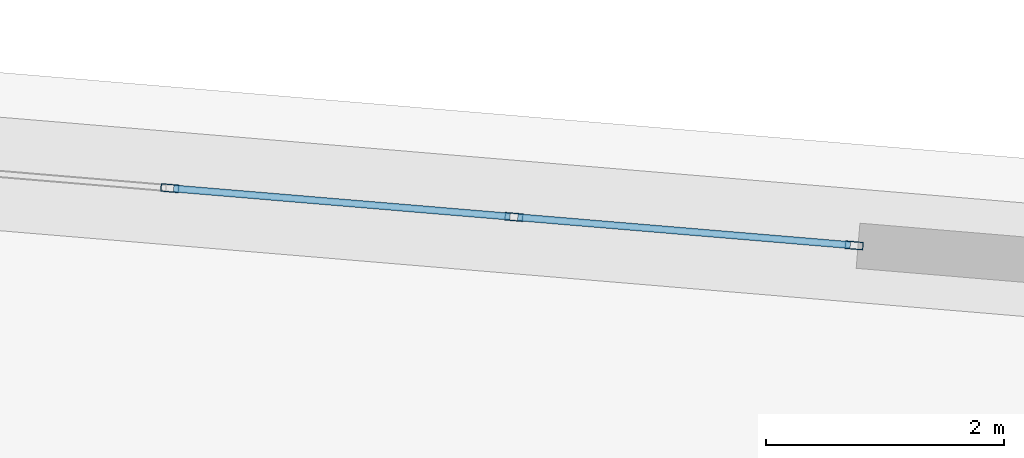
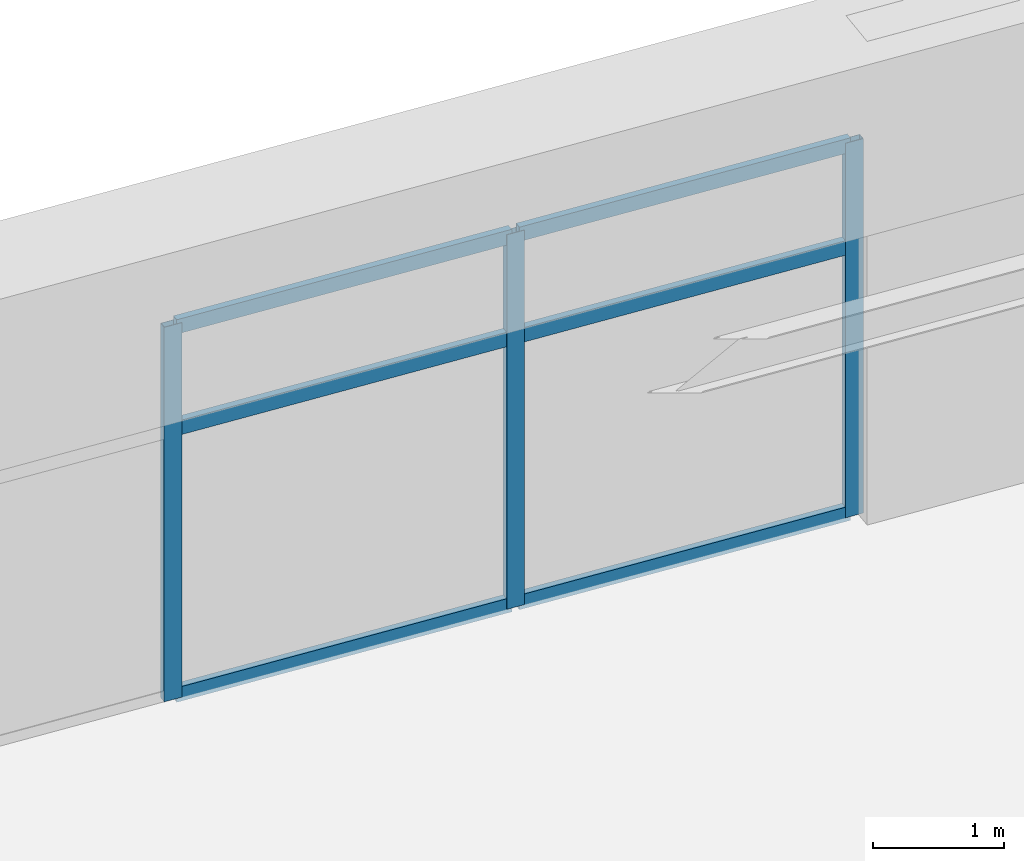
# One storey, part 31 of 40: 9 members, 1 element without a shape of its own.
"""IFC4 building model written with IfcOpenShell, lengths in metres."""

from ifc_helpers import new_model, si_unit, direction, frame, origin, origin_2d, place, context, subcontext, project, spatial, hollow_rectangle, extrude, source, transform, mapped, material, layer, layer_set, material_profile, profile_set, type_object, element, aggregate, save


model = new_model("IFC4")

# Units and contexts
model_context = context("Model", 3, precision=1e-05, world=origin(), true_north=direction((0.0, 1.0)))
body_context = subcontext(model_context, "Body", "Model", "MODEL_VIEW")
ifc_project = project(units=[si_unit("LENGTHUNIT", "METRE"), si_unit("AREAUNIT", "SQUARE_METRE"), si_unit("VOLUMEUNIT", "CUBIC_METRE"), si_unit("PLANEANGLEUNIT", "RADIAN"), si_unit("MASSUNIT", "GRAM", prefix="KILO")], contexts=[model_context])

# Site, building, storey
site_placement = place(None, origin())
site = spatial("IfcSite", under=ifc_project, at=site_placement, CompositionType="ELEMENT")
building_placement = place(site_placement, origin())
building = spatial("IfcBuilding", under=site, at=building_placement, Name="Liaohun Quay Tower", CompositionType="ELEMENT")
storey_placement = place(building_placement, frame((0.0, 0.0, 351.0)))
storey = spatial("IfcBuildingStorey", under=building, at=storey_placement, Name="L91", CompositionType="ELEMENT", Elevation=351.0)

# Curtain wall, members
ifc_material_1 = material(Name="Observation gallery panoramic triple-glazed curtain wall")
ifc_layer = layer(ifc_material_1, 0.219970703125, Name="Observation gallery panoramic triple-glazed curtain wall")
ifc_layer_set = layer_set([ifc_layer], Name="Observation gallery panoramic triple-glazed curtain wall")
curtain_wall_type = type_object("IfcCurtainWallType", Name="CW-OBS-CRN", PredefinedType="NOTDEFINED", material=ifc_layer_set)
curtain_wall_placement = place(storey_placement, origin())
curtain_wall = element("IfcCurtainWall", 1, at=curtain_wall_placement, inside=storey, type_object=curtain_wall_type, Name="L91 Panoramic Belvedere Curtain Wall 03", PredefinedType="NOTDEFINED")
ifc_material_2 = material(Name="Anodised aluminium 6063-T6", Category="aluminium")
ifc_material_profile_1 = material_profile(ifc_material_2, hollow_rectangle(XDim=0.06494140625, YDim=0.14990234375, WallThickness=0.00390625, at=origin_2d()), Name="RHS150x65x4")
ifc_profile_set_1 = profile_set([ifc_material_profile_1], Name="Anodised aluminium 6063-T6")
member_type_1 = type_object("IfcMemberType", Name="MEM-CWM-SKY", PredefinedType="MULLION", material=ifc_profile_set_1)
shared_shape_1 = source(origin(), body_context, "Body", "SweptSolid", [
    extrude(hollow_rectangle(XDim=0.06494140625, YDim=0.14990234375, WallThickness=0.00390625, at=origin_2d()), origin(), (0.0, 0.0, 1.0), 3.5),
])
member_1_placement = place(storey_placement, frame((78.817626953125, 73.622802734375, 0.0), z_axis=(0.0, 0.0, 1.0), x_axis=(-0.083366539138, -0.996518951226, 0.0)))
member_1 = element("IfcMember", 2, at=member_1_placement, type_object=member_type_1, Name="CW6 mullion 1", PredefinedType="MULLION", context=body_context, shape_type="MappedRepresentation", body=[
    mapped(shared_shape_1, transform((0.0, 0.0, 0.0), x_axis=(1.0, 0.0, 0.0), y_axis=(0.0, 1.0, 0.0), z_axis=(0.0, 0.0, 1.0), scale=1.0)),
])
member_2_placement = place(storey_placement, frame((75.960205078125, 73.86181640625, 0.0), z_axis=(0.0, 0.0, 1.0), x_axis=(-0.083366539138, -0.996518951226, 0.0)))
member_2 = element("IfcMember", 3, at=member_2_placement, type_object=member_type_1, Name="CW6 mullion 2", PredefinedType="MULLION", context=body_context, shape_type="MappedRepresentation", body=[
    mapped(shared_shape_1, transform((0.0, 0.0, 0.0), x_axis=(1.0, 0.0, 0.0), y_axis=(0.0, 1.0, 0.0), z_axis=(0.0, 0.0, 1.0), scale=1.0)),
])
member_3_placement = place(storey_placement, frame((73.070556640625, 74.103515625, 0.0), z_axis=(0.0, 0.0, 1.0), x_axis=(-0.083366539138, -0.996518951226, 0.0)))
member_3 = element("IfcMember", 4, at=member_3_placement, type_object=member_type_1, Name="CW6 mullion 3", PredefinedType="MULLION", context=body_context, shape_type="MappedRepresentation", body=[
    mapped(shared_shape_1, transform((0.0, 0.0, 0.0), x_axis=(1.0, 0.0, 0.0), y_axis=(0.0, 1.0, 0.0), z_axis=(0.0, 0.0, 1.0), scale=1.0)),
])
ifc_material_profile_2 = material_profile(ifc_material_2, hollow_rectangle(XDim=0.06005859375, YDim=0.135009765625, WallThickness=0.00390625, at=origin_2d()), Name="RHS135x60x4")
ifc_profile_set_2 = profile_set([ifc_material_profile_2], Name="Anodised aluminium 6063-T6")
member_type_2 = type_object("IfcMemberType", Name="MEM-CWT-SKY", PredefinedType="USERDEFINED", material=ifc_profile_set_2)
shared_shape_2 = source(origin(), body_context, "Body", "SweptSolid", [
    extrude(hollow_rectangle(XDim=0.06005859375, YDim=0.135009765625, WallThickness=0.00390625, at=origin_2d()), origin(), (0.0, 0.0, 1.0), 2.80224609375),
])
member_4_placement = place(storey_placement, frame((78.78515625, 73.62548828125, 0.030029296875), z_axis=(-0.996518063887, 0.08337714523, 0.0), x_axis=(-0.08337714523, -0.996518063887, 0.0)))
member_4 = element("IfcMember", 5, at=member_4_placement, type_object=member_type_2, Name="CW6 transom 1.1", ObjectType="TRANSOM", PredefinedType="USERDEFINED", context=body_context, shape_type="MappedRepresentation", body=[
    mapped(shared_shape_2, transform((0.0, 0.0, 0.0), x_axis=(1.0, 0.0, 0.0), y_axis=(0.0, 1.0, 0.0), z_axis=(0.0, 0.0, 1.0), scale=1.0)),
])
member_5_placement = place(storey_placement, frame((78.78515625, 73.62548828125, 2.52001953125), z_axis=(-0.996518063887, 0.08337714523, 0.0), x_axis=(-0.08337714523, -0.996518063887, 0.0)))
member_5 = element("IfcMember", 6, at=member_5_placement, type_object=member_type_2, Name="CW6 transom 1.2", ObjectType="TRANSOM", PredefinedType="USERDEFINED", context=body_context, shape_type="MappedRepresentation", body=[
    mapped(shared_shape_2, transform((0.0, 0.0, 0.0), x_axis=(1.0, 0.0, 0.0), y_axis=(0.0, 1.0, 0.0), z_axis=(0.0, 0.0, 1.0), scale=1.0)),
])
member_6_placement = place(storey_placement, frame((78.78515625, 73.62548828125, 3.469970703125), z_axis=(-0.996518063887, 0.08337714523, 0.0), x_axis=(-0.08337714523, -0.996518063887, 0.0)))
member_6 = element("IfcMember", 7, at=member_6_placement, type_object=member_type_2, Name="CW6 transom 1.3", ObjectType="TRANSOM", PredefinedType="USERDEFINED", context=body_context, shape_type="MappedRepresentation", body=[
    mapped(shared_shape_2, transform((0.0, 0.0, 0.0), x_axis=(1.0, 0.0, 0.0), y_axis=(0.0, 1.0, 0.0), z_axis=(0.0, 0.0, 1.0), scale=1.0)),
])
shared_shape_3 = source(origin(), body_context, "Body", "SweptSolid", [
    extrude(hollow_rectangle(XDim=0.06005859375, YDim=0.135009765625, WallThickness=0.00390625, at=origin_2d()), origin(), (0.0, 0.0, 1.0), 2.8349609375),
])
member_7_placement = place(storey_placement, frame((75.927978515625, 73.864501953125, 0.030029296875), z_axis=(-0.996519577545, 0.083359052114, 0.0), x_axis=(-0.083359052114, -0.996519577545, 0.0)))
member_7 = element("IfcMember", 8, at=member_7_placement, type_object=member_type_2, Name="CW6 transom 2.1", ObjectType="TRANSOM", PredefinedType="USERDEFINED", context=body_context, shape_type="MappedRepresentation", body=[
    mapped(shared_shape_3, transform((0.0, 0.0, 0.0), x_axis=(1.0, 0.0, 0.0), y_axis=(0.0, 1.0, 0.0), z_axis=(0.0, 0.0, 1.0), scale=1.0)),
])
member_8_placement = place(storey_placement, frame((75.927978515625, 73.864501953125, 2.52001953125), z_axis=(-0.996519577545, 0.083359052114, 0.0), x_axis=(-0.083359052114, -0.996519577545, 0.0)))
member_8 = element("IfcMember", 9, at=member_8_placement, type_object=member_type_2, Name="CW6 transom 2.2", ObjectType="TRANSOM", PredefinedType="USERDEFINED", context=body_context, shape_type="MappedRepresentation", body=[
    mapped(shared_shape_3, transform((0.0, 0.0, 0.0), x_axis=(1.0, 0.0, 0.0), y_axis=(0.0, 1.0, 0.0), z_axis=(0.0, 0.0, 1.0), scale=1.0)),
])
member_9_placement = place(storey_placement, frame((75.927978515625, 73.864501953125, 3.469970703125), z_axis=(-0.996519577545, 0.083359052114, 0.0), x_axis=(-0.083359052114, -0.996519577545, 0.0)))
member_9 = element("IfcMember", 10, at=member_9_placement, type_object=member_type_2, Name="CW6 transom 2.3", ObjectType="TRANSOM", PredefinedType="USERDEFINED", context=body_context, shape_type="MappedRepresentation", body=[
    mapped(shared_shape_3, transform((0.0, 0.0, 0.0), x_axis=(1.0, 0.0, 0.0), y_axis=(0.0, 1.0, 0.0), z_axis=(0.0, 0.0, 1.0), scale=1.0)),
])
aggregate(curtain_wall, [member_1, member_2, member_3, member_4, member_5, member_6, member_7, member_8, member_9])

save(model, "model.ifc")
